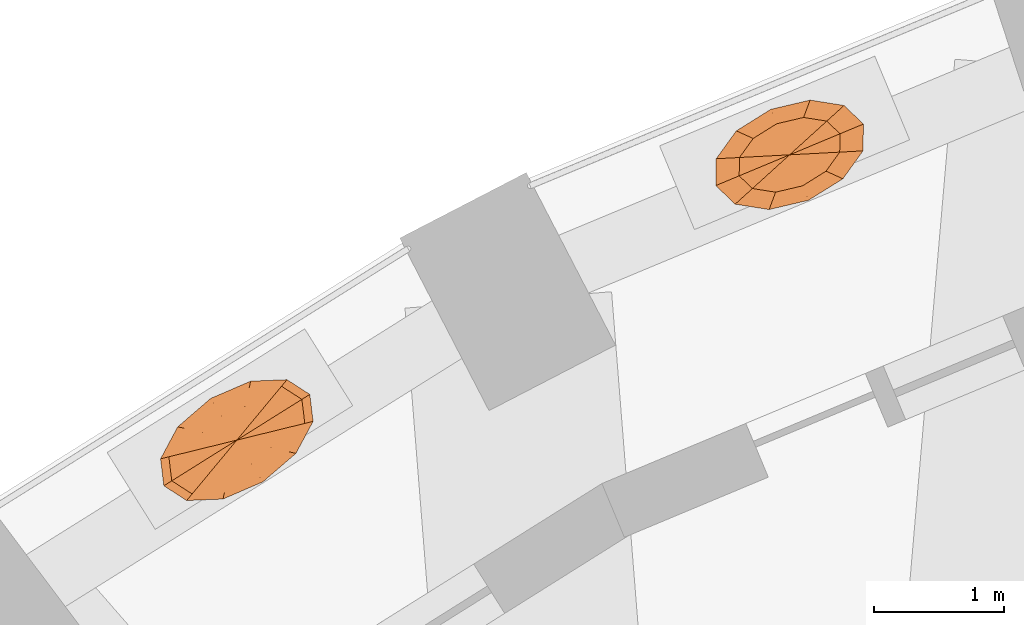
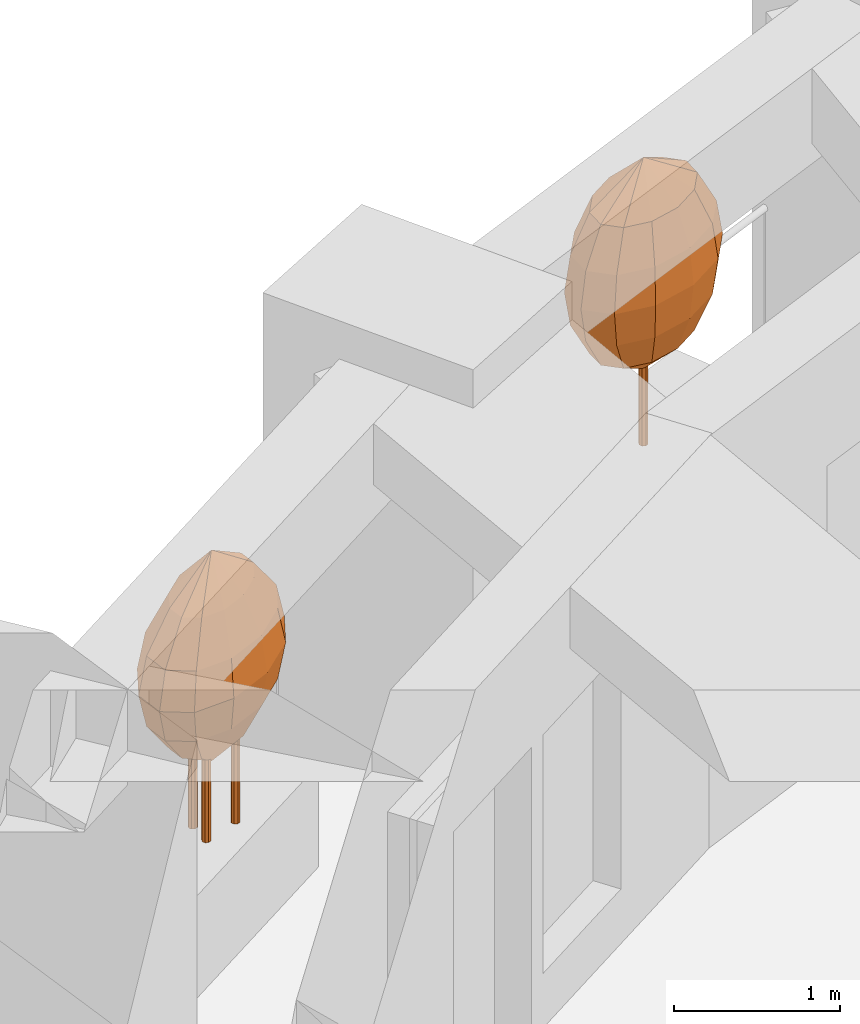
# One storey, part 13 of 13: 2 geographic elements.
"""IFC4 building model written with IfcOpenShell, lengths in metres."""

from ifc_helpers import new_model, si_unit, direction, frame, origin, place, context, subcontext, project, spatial, faceted_brep, material, constituent, constituent_set, type_object, element, save


model = new_model("IFC4")

# Units and contexts
model_context = context("Model", 3, precision=1e-05, world=origin(), true_north=direction((0.0, 1.0)))
body_context = subcontext(model_context, "Body", "Model", "MODEL_VIEW")
ifc_project = project(units=[si_unit("LENGTHUNIT", "METRE"), si_unit("AREAUNIT", "SQUARE_METRE"), si_unit("VOLUMEUNIT", "CUBIC_METRE"), si_unit("PLANEANGLEUNIT", "RADIAN"), si_unit("MASSUNIT", "GRAM", prefix="KILO")], contexts=[model_context])

# Site, building, storey
site_placement = place(None, origin())
site = spatial("IfcSite", under=ifc_project, at=site_placement, CompositionType="ELEMENT")
building_placement = place(site_placement, origin())
building = spatial("IfcBuilding", under=site, at=building_placement, Name="Taillehof Tower", CompositionType="ELEMENT")
storey_placement = place(building_placement, frame((0.0, 0.0, 48.10009765625)))
storey = spatial("IfcBuildingStorey", under=building, at=storey_placement, Name="L12", CompositionType="ELEMENT", Elevation=48.10009765625)

# Geographic elements
ifc_material_1 = material(Name="Tree bark", Category="timber")
ifc_constituent_1 = constituent(ifc_material_1, Name="Trunk", Category="timber")
ifc_material_2 = material(Name="Tree foliage")
ifc_constituent_2 = constituent(ifc_material_2, Name="Crown")
ifc_constituent_set_1 = constituent_set(constituents=[ifc_constituent_1, ifc_constituent_2], Name="Tree TR1 Columnar hornbeam")
geographic_element_type_1 = type_object("IfcGeographicElementType", Name="Tree TR1 Columnar hornbeam", PredefinedType="USERDEFINED", material=ifc_constituent_set_1)
geographic_element_1_placement = place(storey_placement, frame((-11.947509765625, 22.923583984375, 0.75)))
element("IfcGeographicElement", 1, at=geographic_element_1_placement, inside=storey, type_object=geographic_element_type_1, Name="Tree TR1 Columnar hornbeam", ObjectType="TREE", PredefinedType="USERDEFINED", context=body_context, shape_type="Brep", body=[
    faceted_brep([(0.030029296875, 0.0, 0.0), (0.021240234375, 0.021240234375, 0.0), (0.021240234375, 0.021240234375, 1.092529296875), (0.030029296875, 0.0, 1.092529296875), (0.0, 0.030029296875, 0.0), (0.0, 0.030029296875, 1.092529296875), (-0.021240234375, 0.021240234375, 0.0), (-0.021240234375, 0.021240234375, 1.092529296875), (-0.030029296875, 0.0, 0.0), (-0.030029296875, 0.0, 1.092529296875), (-0.021240234375, -0.021240234375, 0.0), (-0.021240234375, -0.021240234375, 1.092529296875), (0.0, -0.030029296875, 0.0), (0.0, -0.030029296875, 1.092529296875), (0.021240234375, -0.021240234375, 0.0), (0.021240234375, -0.021240234375, 1.092529296875)], [[[0, 1, 2, 3]], [[1, 4, 5, 2]], [[4, 6, 7, 5]], [[6, 8, 9, 7]], [[8, 10, 11, 9]], [[10, 12, 13, 11]], [[12, 14, 15, 13]], [[14, 0, 3, 15]], [[14, 12, 10, 8, 6, 4, 1, 0]], [[3, 2, 5, 7, 9, 11, 13, 15]]]),
    faceted_brep([(0.0, 0.0, 0.550048828125), (-0.287109375, -0.26025390625, 0.808349609375), (-0.389404296875, -0.162353515625, 0.808349609375), (-0.108154296875, -0.28857421875, 0.808349609375), (0.099853515625, -0.239501953125, 0.808349609375), (0.28125, -0.126220703125, 0.808349609375), (0.386962890625, 0.020751953125, 0.808349609375), (0.389404296875, 0.162353515625, 0.808349609375), (0.287109375, 0.26025390625, 0.808349609375), (0.108154296875, 0.28857421875, 0.808349609375), (-0.099853515625, 0.239501953125, 0.808349609375), (-0.28125, 0.126220703125, 0.808349609375), (-0.386962890625, -0.020751953125, 0.808349609375), (-0.388427734375, -0.35205078125, 1.066650390625), (-0.526611328125, -0.219482421875, 1.066650390625), (-0.146240234375, -0.390380859375, 1.066650390625), (0.135009765625, -0.323974609375, 1.066650390625), (0.38037109375, -0.1708984375, 1.066650390625), (0.523681640625, 0.028076171875, 1.066650390625), (0.526611328125, 0.219482421875, 1.066650390625), (0.388427734375, 0.35205078125, 1.066650390625), (0.146240234375, 0.390380859375, 1.066650390625), (-0.135009765625, 0.323974609375, 1.066650390625), (-0.38037109375, 0.1708984375, 1.066650390625), (-0.523681640625, -0.028076171875, 1.066650390625), (-0.42041015625, -0.381103515625, 1.324951171875), (-0.570068359375, -0.237548828125, 1.324951171875), (-0.158447265625, -0.422607421875, 1.324951171875), (0.146240234375, -0.350830078125, 1.324951171875), (0.41162109375, -0.18505859375, 1.324951171875), (0.566650390625, 0.0302734375, 1.324951171875), (0.570068359375, 0.237548828125, 1.324951171875), (0.42041015625, 0.381103515625, 1.324951171875), (0.158447265625, 0.422607421875, 1.324951171875), (-0.146240234375, 0.350830078125, 1.324951171875), (-0.41162109375, 0.18505859375, 1.324951171875), (-0.566650390625, -0.0302734375, 1.324951171875), (-0.388427734375, -0.35205078125, 1.583251953125), (-0.526611328125, -0.219482421875, 1.583251953125), (-0.146240234375, -0.390380859375, 1.583251953125), (0.135009765625, -0.323974609375, 1.583251953125), (0.38037109375, -0.1708984375, 1.583251953125), (0.523681640625, 0.028076171875, 1.583251953125), (0.526611328125, 0.219482421875, 1.583251953125), (0.388427734375, 0.35205078125, 1.583251953125), (0.146240234375, 0.390380859375, 1.583251953125), (-0.135009765625, 0.323974609375, 1.583251953125), (-0.38037109375, 0.1708984375, 1.583251953125), (-0.523681640625, -0.028076171875, 1.583251953125), (-0.287109375, -0.26025390625, 1.841552734375), (-0.389404296875, -0.162353515625, 1.841552734375), (-0.108154296875, -0.28857421875, 1.841552734375), (0.099853515625, -0.239501953125, 1.841552734375), (0.28125, -0.126220703125, 1.841552734375), (0.386962890625, 0.020751953125, 1.841552734375), (0.389404296875, 0.162353515625, 1.841552734375), (0.287109375, 0.26025390625, 1.841552734375), (0.108154296875, 0.28857421875, 1.841552734375), (-0.099853515625, 0.239501953125, 1.841552734375), (-0.28125, 0.126220703125, 1.841552734375), (-0.386962890625, -0.020751953125, 1.841552734375), (0.0, 0.0, 2.10009765625)], [[[0, 1, 2]], [[0, 3, 1]], [[0, 4, 3]], [[0, 5, 4]], [[0, 6, 5]], [[0, 7, 6]], [[0, 8, 7]], [[0, 9, 8]], [[0, 10, 9]], [[0, 11, 10]], [[0, 12, 11]], [[0, 2, 12]], [[2, 1, 13, 14]], [[1, 3, 15, 13]], [[3, 4, 16, 15]], [[4, 5, 17, 16]], [[5, 6, 18, 17]], [[6, 7, 19, 18]], [[7, 8, 20, 19]], [[8, 9, 21, 20]], [[9, 10, 22, 21]], [[10, 11, 23, 22]], [[11, 12, 24, 23]], [[12, 2, 14, 24]], [[14, 13, 25, 26]], [[13, 15, 27, 25]], [[15, 16, 28, 27]], [[16, 17, 29, 28]], [[17, 18, 30, 29]], [[18, 19, 31, 30]], [[19, 20, 32, 31]], [[20, 21, 33, 32]], [[21, 22, 34, 33]], [[22, 23, 35, 34]], [[23, 24, 36, 35]], [[24, 14, 26, 36]], [[26, 25, 37, 38]], [[25, 27, 39, 37]], [[27, 28, 40, 39]], [[28, 29, 41, 40]], [[29, 30, 42, 41]], [[30, 31, 43, 42]], [[31, 32, 44, 43]], [[32, 33, 45, 44]], [[33, 34, 46, 45]], [[34, 35, 47, 46]], [[35, 36, 48, 47]], [[36, 26, 38, 48]], [[38, 37, 49, 50]], [[37, 39, 51, 49]], [[39, 40, 52, 51]], [[40, 41, 53, 52]], [[41, 42, 54, 53]], [[42, 43, 55, 54]], [[43, 44, 56, 55]], [[44, 45, 57, 56]], [[45, 46, 58, 57]], [[46, 47, 59, 58]], [[47, 48, 60, 59]], [[48, 38, 50, 60]], [[50, 49, 61]], [[49, 51, 61]], [[51, 52, 61]], [[52, 53, 61]], [[53, 54, 61]], [[54, 55, 61]], [[55, 56, 61]], [[56, 57, 61]], [[57, 58, 61]], [[58, 59, 61]], [[59, 60, 61]], [[60, 50, 61]]]),
])
ifc_material_3 = material(Name="Tree bark", Category="timber")
ifc_constituent_3 = constituent(ifc_material_3, Name="Trunk", Category="timber")
ifc_material_4 = material(Name="Tree foliage")
ifc_constituent_4 = constituent(ifc_material_4, Name="Crown")
ifc_constituent_set_2 = constituent_set(constituents=[ifc_constituent_3, ifc_constituent_4], Name="Tree TR3 Multi-stem serviceberry")
geographic_element_type_2 = type_object("IfcGeographicElementType", Name="Tree TR3 Multi-stem serviceberry", PredefinedType="USERDEFINED", material=ifc_constituent_set_2)
geographic_element_2_placement = place(storey_placement, frame((-16.2158203125, 20.720703125, 0.75)))
element("IfcGeographicElement", 2, at=geographic_element_2_placement, inside=storey, type_object=geographic_element_type_2, Name="Tree TR3 Multi-stem serviceberry", ObjectType="TREE", PredefinedType="USERDEFINED", context=body_context, shape_type="Brep", body=[
    faceted_brep([(0.195068359375, 0.0, 0.0), (0.186767578125, 0.0205078125, 0.0), (0.186767578125, 0.0205078125, 1.04248046875), (0.195068359375, 0.0, 1.04248046875), (0.166259765625, 0.02880859375, 0.0), (0.166259765625, 0.02880859375, 1.04248046875), (0.145751953125, 0.0205078125, 0.0), (0.145751953125, 0.0205078125, 1.04248046875), (0.137451171875, 0.0, 0.0), (0.137451171875, 0.0, 1.04248046875), (0.145751953125, -0.0205078125, 0.0), (0.145751953125, -0.0205078125, 1.04248046875), (0.166259765625, -0.02880859375, 0.0), (0.166259765625, -0.02880859375, 1.04248046875), (0.186767578125, -0.0205078125, 0.0), (0.186767578125, -0.0205078125, 1.04248046875)], [[[0, 1, 2, 3]], [[1, 4, 5, 2]], [[4, 6, 7, 5]], [[6, 8, 9, 7]], [[8, 10, 11, 9]], [[10, 12, 13, 11]], [[12, 14, 15, 13]], [[14, 0, 3, 15]], [[14, 12, 10, 8, 6, 4, 1, 0]], [[3, 2, 5, 7, 9, 11, 13, 15]]]),
    faceted_brep([(-0.05419921875, 0.082275390625, 0.0), (-0.062744140625, 0.102783203125, 0.0), (-0.062744140625, 0.102783203125, 1.04248046875), (-0.05419921875, 0.082275390625, 1.04248046875), (-0.0830078125, 0.111083984375, 0.0), (-0.0830078125, 0.111083984375, 1.04248046875), (-0.103515625, 0.102783203125, 0.0), (-0.103515625, 0.102783203125, 1.04248046875), (-0.112060546875, 0.082275390625, 0.0), (-0.112060546875, 0.082275390625, 1.04248046875), (-0.103515625, 0.061767578125, 0.0), (-0.103515625, 0.061767578125, 1.04248046875), (-0.0830078125, 0.053466796875, 0.0), (-0.0830078125, 0.053466796875, 1.04248046875), (-0.062744140625, 0.061767578125, 0.0), (-0.062744140625, 0.061767578125, 1.04248046875)], [[[0, 1, 2, 3]], [[1, 4, 5, 2]], [[4, 6, 7, 5]], [[6, 8, 9, 7]], [[8, 10, 11, 9]], [[10, 12, 13, 11]], [[12, 14, 15, 13]], [[14, 0, 3, 15]], [[14, 12, 10, 8, 6, 4, 1, 0]], [[3, 2, 5, 7, 9, 11, 13, 15]]]),
    faceted_brep([(-0.05419921875, -0.082275390625, 0.0), (-0.062744140625, -0.061767578125, 0.0), (-0.062744140625, -0.061767578125, 1.04248046875), (-0.05419921875, -0.082275390625, 1.04248046875), (-0.0830078125, -0.053466796875, 0.0), (-0.0830078125, -0.053466796875, 1.04248046875), (-0.103515625, -0.061767578125, 0.0), (-0.103515625, -0.061767578125, 1.04248046875), (-0.112060546875, -0.082275390625, 0.0), (-0.112060546875, -0.082275390625, 1.04248046875), (-0.103515625, -0.102783203125, 0.0), (-0.103515625, -0.102783203125, 1.04248046875), (-0.0830078125, -0.111083984375, 0.0), (-0.0830078125, -0.111083984375, 1.04248046875), (-0.062744140625, -0.102783203125, 0.0), (-0.062744140625, -0.102783203125, 1.04248046875)], [[[0, 1, 2, 3]], [[1, 4, 5, 2]], [[4, 6, 7, 5]], [[6, 8, 9, 7]], [[8, 10, 11, 9]], [[10, 12, 13, 11]], [[12, 14, 15, 13]], [[14, 0, 3, 15]], [[14, 12, 10, 8, 6, 4, 1, 0]], [[3, 2, 5, 7, 9, 11, 13, 15]]]),
    faceted_brep([(0.0, 0.0, 0.5), (-0.222412109375, -0.26806640625, 0.75830078125), (-0.32373046875, -0.20263671875, 0.75830078125), (-0.0615234375, -0.261474609375, 0.75830078125), (0.11572265625, -0.18505859375, 0.75830078125), (0.26220703125, -0.058837890625, 0.75830078125), (0.33837890625, 0.0830078125, 0.75830078125), (0.32373046875, 0.20263671875, 0.75830078125), (0.222412109375, 0.26806640625, 0.75830078125), (0.0615234375, 0.261474609375, 0.75830078125), (-0.11572265625, 0.18505859375, 0.75830078125), (-0.26220703125, 0.058837890625, 0.75830078125), (-0.33837890625, -0.0830078125, 0.75830078125), (-0.34521484375, -0.415771484375, 1.0166015625), (-0.50244140625, -0.314453125, 1.0166015625), (-0.095703125, -0.40576171875, 1.0166015625), (0.1796875, -0.287109375, 1.0166015625), (0.40673828125, -0.09130859375, 1.0166015625), (0.52490234375, 0.12890625, 1.0166015625), (0.50244140625, 0.314453125, 1.0166015625), (0.34521484375, 0.415771484375, 1.0166015625), (0.095703125, 0.40576171875, 1.0166015625), (-0.1796875, 0.287109375, 1.0166015625), (-0.40673828125, 0.09130859375, 1.0166015625), (-0.52490234375, -0.12890625, 1.0166015625), (-0.387451171875, -0.466552734375, 1.27490234375), (-0.563720703125, -0.352783203125, 1.27490234375), (-0.107177734375, -0.455322265625, 1.27490234375), (0.20166015625, -0.322021484375, 1.27490234375), (0.45654296875, -0.1025390625, 1.27490234375), (0.5888671875, 0.14453125, 1.27490234375), (0.563720703125, 0.352783203125, 1.27490234375), (0.387451171875, 0.466552734375, 1.27490234375), (0.107177734375, 0.455322265625, 1.27490234375), (-0.20166015625, 0.322021484375, 1.27490234375), (-0.45654296875, 0.1025390625, 1.27490234375), (-0.5888671875, -0.14453125, 1.27490234375), (-0.34521484375, -0.415771484375, 1.533447265625), (-0.50244140625, -0.314453125, 1.533447265625), (-0.095703125, -0.40576171875, 1.533447265625), (0.1796875, -0.287109375, 1.533447265625), (0.40673828125, -0.09130859375, 1.533447265625), (0.52490234375, 0.12890625, 1.533447265625), (0.50244140625, 0.314453125, 1.533447265625), (0.34521484375, 0.415771484375, 1.533447265625), (0.095703125, 0.40576171875, 1.533447265625), (-0.1796875, 0.287109375, 1.533447265625), (-0.40673828125, 0.09130859375, 1.533447265625), (-0.52490234375, -0.12890625, 1.533447265625), (-0.222412109375, -0.26806640625, 1.791748046875), (-0.32373046875, -0.20263671875, 1.791748046875), (-0.0615234375, -0.261474609375, 1.791748046875), (0.11572265625, -0.18505859375, 1.791748046875), (0.26220703125, -0.058837890625, 1.791748046875), (0.33837890625, 0.0830078125, 1.791748046875), (0.32373046875, 0.20263671875, 1.791748046875), (0.222412109375, 0.26806640625, 1.791748046875), (0.0615234375, 0.261474609375, 1.791748046875), (-0.11572265625, 0.18505859375, 1.791748046875), (-0.26220703125, 0.058837890625, 1.791748046875), (-0.33837890625, -0.0830078125, 1.791748046875), (0.0, 0.0, 2.050048828125)], [[[0, 1, 2]], [[0, 3, 1]], [[0, 4, 3]], [[0, 5, 4]], [[0, 6, 5]], [[0, 7, 6]], [[0, 8, 7]], [[0, 9, 8]], [[0, 10, 9]], [[0, 11, 10]], [[0, 12, 11]], [[0, 2, 12]], [[2, 1, 13, 14]], [[1, 3, 15, 13]], [[3, 4, 16, 15]], [[4, 5, 17, 16]], [[5, 6, 18, 17]], [[6, 7, 19, 18]], [[7, 8, 20, 19]], [[8, 9, 21, 20]], [[9, 10, 22, 21]], [[10, 11, 23, 22]], [[11, 12, 24, 23]], [[12, 2, 14, 24]], [[14, 13, 25, 26]], [[13, 15, 27, 25]], [[15, 16, 28, 27]], [[16, 17, 29, 28]], [[17, 18, 30, 29]], [[18, 19, 31, 30]], [[19, 20, 32, 31]], [[20, 21, 33, 32]], [[21, 22, 34, 33]], [[22, 23, 35, 34]], [[23, 24, 36, 35]], [[24, 14, 26, 36]], [[26, 25, 37, 38]], [[25, 27, 39, 37]], [[27, 28, 40, 39]], [[28, 29, 41, 40]], [[29, 30, 42, 41]], [[30, 31, 43, 42]], [[31, 32, 44, 43]], [[32, 33, 45, 44]], [[33, 34, 46, 45]], [[34, 35, 47, 46]], [[35, 36, 48, 47]], [[36, 26, 38, 48]], [[38, 37, 49, 50]], [[37, 39, 51, 49]], [[39, 40, 52, 51]], [[40, 41, 53, 52]], [[41, 42, 54, 53]], [[42, 43, 55, 54]], [[43, 44, 56, 55]], [[44, 45, 57, 56]], [[45, 46, 58, 57]], [[46, 47, 59, 58]], [[47, 48, 60, 59]], [[48, 38, 50, 60]], [[50, 49, 61]], [[49, 51, 61]], [[51, 52, 61]], [[52, 53, 61]], [[53, 54, 61]], [[54, 55, 61]], [[55, 56, 61]], [[56, 57, 61]], [[57, 58, 61]], [[58, 59, 61]], [[59, 60, 61]], [[60, 50, 61]]]),
])

save(model, "model.ifc")
